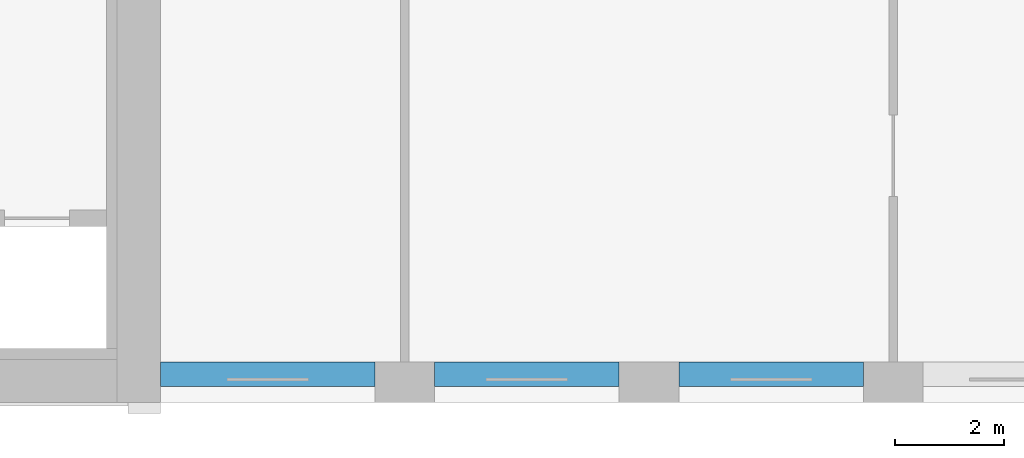
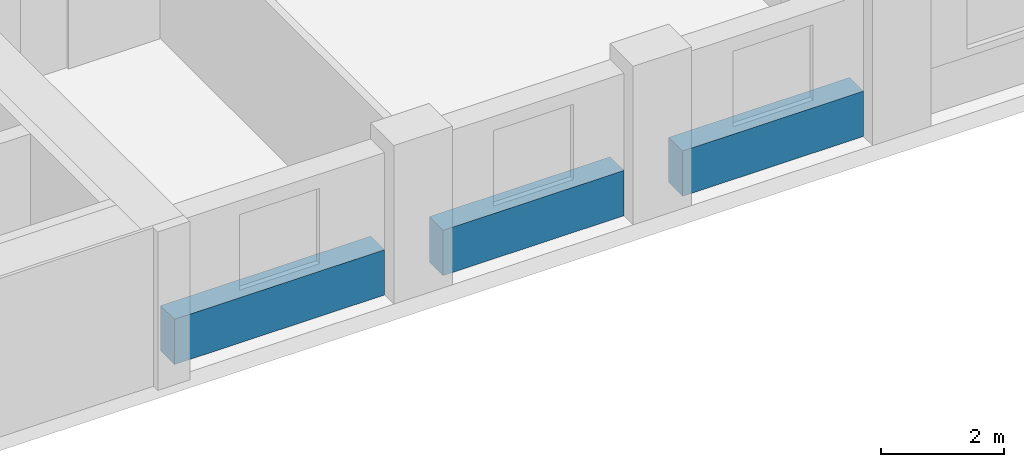
# One storey, part 3 of 16: 3 beams.
"""IFC4 building model written with IfcOpenShell, lengths in metres."""

from ifc_helpers import new_model, si_unit, direction, frame, origin, origin_2d, place, context, subcontext, project, spatial, rectangle, extrude, material, material_profile, profile_set, type_object, element, save


model = new_model("IFC4")

# Units and contexts
model_context = context("Model", 3, precision=1e-05, world=origin(), true_north=direction((0.0, 1.0)))
body_context = subcontext(model_context, "Body", "Model", "MODEL_VIEW")
ifc_project = project(units=[si_unit("LENGTHUNIT", "METRE"), si_unit("AREAUNIT", "SQUARE_METRE"), si_unit("VOLUMEUNIT", "CUBIC_METRE"), si_unit("PLANEANGLEUNIT", "RADIAN"), si_unit("MASSUNIT", "GRAM", prefix="KILO")], contexts=[model_context])

# Site, building, storey
site_placement = place(None, origin())
site = spatial("IfcSite", under=ifc_project, at=site_placement, CompositionType="ELEMENT")
building_placement = place(site_placement, origin())
building = spatial("IfcBuilding", under=site, at=building_placement, Name="Brigalow Station Residences", CompositionType="ELEMENT")
storey_placement = place(building_placement, frame((0.0, 0.0, 83.550048828125)))
storey = spatial("IfcBuildingStorey", under=building, at=storey_placement, Name="L23", CompositionType="ELEMENT", Elevation=83.550048828125)

# Beams
ifc_material = material(Name="Concrete C65", Category="concrete")
ifc_material_profile = material_profile(ifc_material, rectangle(XDim=0.449951171875, YDim=0.89990234375, at=origin_2d()), Name="RC450x900")
ifc_profile_set = profile_set([ifc_material_profile], Name="Concrete C65")
beam_type = type_object("IfcBeamType", Name="SPANDREL BEAM 450x900 C65", PredefinedType="SPANDREL", material=ifc_profile_set)
beam_placement = place(storey_placement, frame((54.0, 0.52490234375, 0.449951171875), z_axis=(1.0, 0.0, 0.0), x_axis=(0.0, 1.0, 0.0)))
element("IfcBeam", 1, at=beam_placement, inside=storey, type_object=beam_type, Name="L23/spandrel/W-L23-4", PredefinedType="SPANDREL", context=body_context, shape_type="SweptSolid", body=[
    extrude(rectangle(XDim=0.449951171875, YDim=0.89990234375, at=origin_2d()), origin(), (0.0, 0.0, 1.0), 3.949951171875),
])
for number, where, z_axis, x_axis, name in (
    (2, (59.050048828125, 0.52490234375, 0.449951171875), (1.0, 0.0, 0.0), (0.0, 1.0, 0.0), "L23/spandrel/W-L23-5"),
    (3, (63.550048828125, 0.52490234375, 0.449951171875), (1.0, 0.0, 0.0), (0.0, 1.0, 0.0), "L23/spandrel/W-L23-6"),
):
    element("IfcBeam", number, at=place(storey_placement, frame(where, z_axis=z_axis, x_axis=x_axis)), inside=storey, type_object=beam_type, Name=name, PredefinedType="SPANDREL", context=body_context, shape_type="SweptSolid", body=[
        extrude(rectangle(XDim=0.449951171875, YDim=0.89990234375, at=origin_2d()), origin(), (0.0, 0.0, 1.0), 3.39990234375),
    ])

save(model, "model.ifc")
